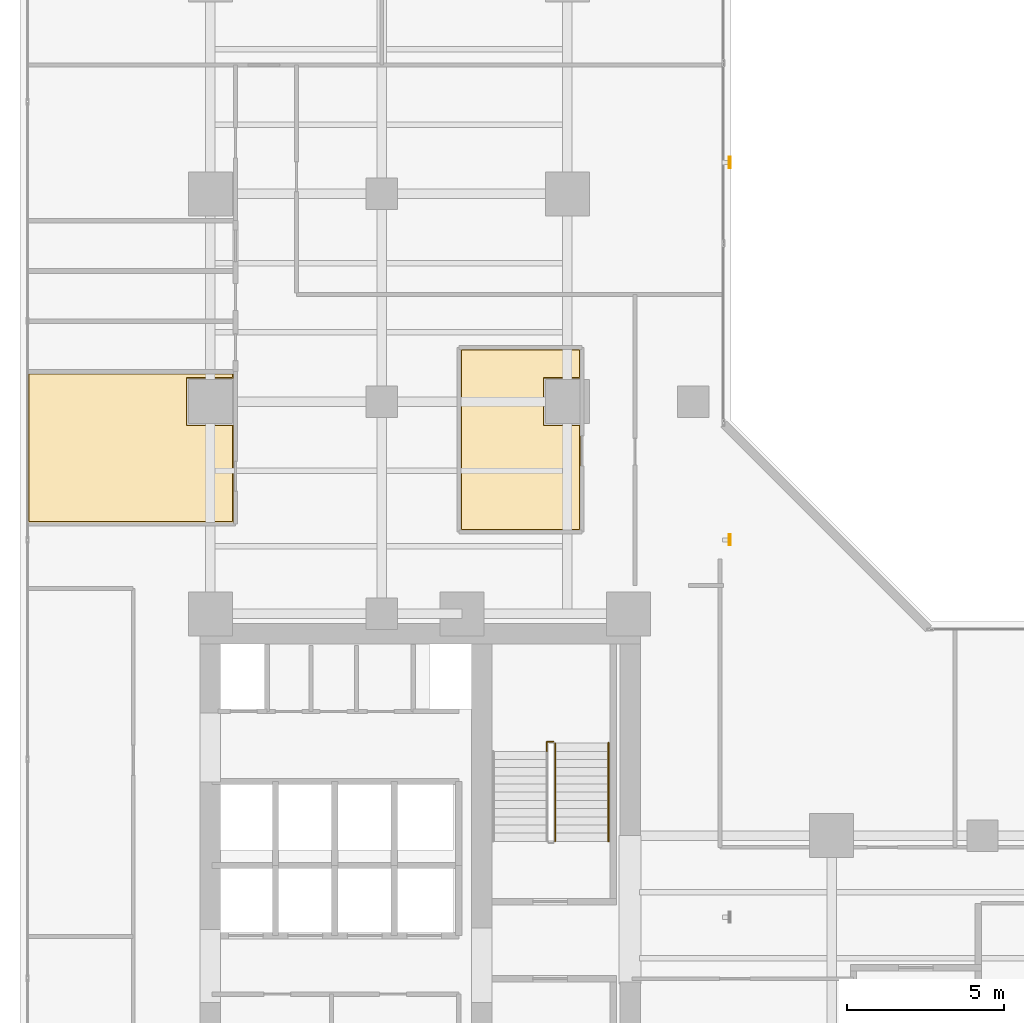
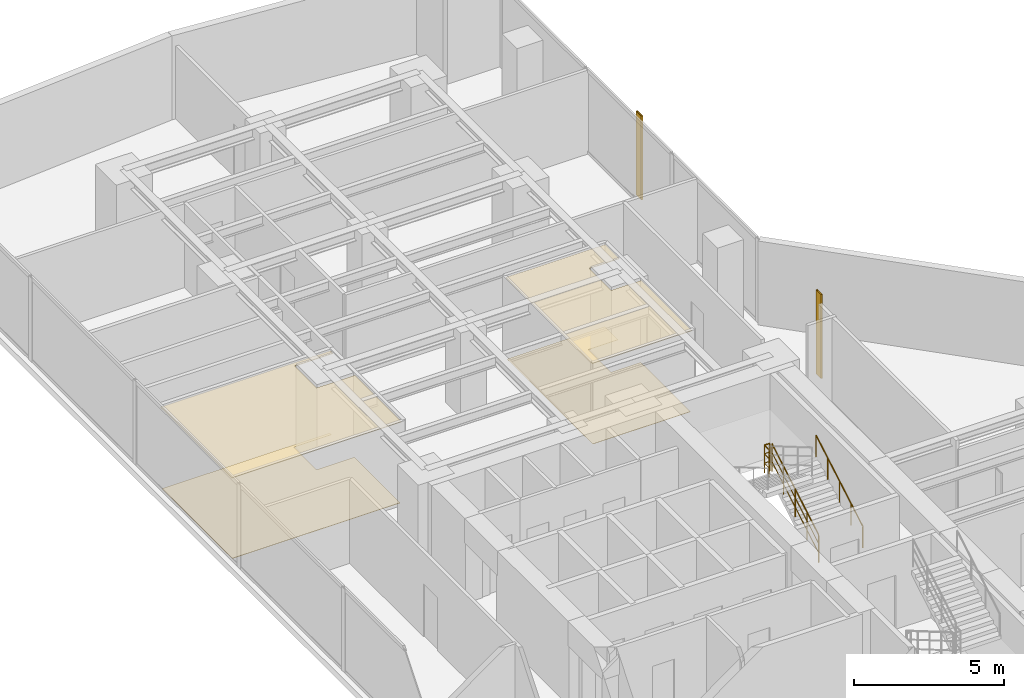
# One storey, part 25 of 25: 4 coverings, 3 railings, 2 shading devices.
"""IFC4 building model written with IfcOpenShell, lengths in metres."""

from ifc_helpers import new_model, si_unit, direction, frame, origin, origin_2d, place, context, subcontext, project, spatial, polyline, hollow_rectangle, circle, outline, extrude, material, layer, layer_set, material_profile, profile_set, type_object, element, save


model = new_model("IFC4")

# Units and contexts
model_context = context("Model", 3, precision=1e-05, world=origin(), true_north=direction((0.0, 1.0)))
body_context = subcontext(model_context, "Body", "Model", "MODEL_VIEW")
ifc_project = project(units=[si_unit("LENGTHUNIT", "METRE"), si_unit("AREAUNIT", "SQUARE_METRE"), si_unit("VOLUMEUNIT", "CUBIC_METRE"), si_unit("PLANEANGLEUNIT", "RADIAN"), si_unit("MASSUNIT", "GRAM", prefix="KILO")], contexts=[model_context])

# Site, building, storey
site_placement = place(None, origin())
site = spatial("IfcSite", under=ifc_project, at=site_placement, CompositionType="ELEMENT")
building_placement = place(site_placement, origin())
building = spatial("IfcBuilding", under=site, at=building_placement, Name="Kolvaren Waterfront Exchange", CompositionType="ELEMENT")
storey_placement = place(building_placement, frame((0.0, 0.0, 137.300048828125)))
storey = spatial("IfcBuildingStorey", under=building, at=storey_placement, Name="L35", CompositionType="ELEMENT", Elevation=137.300048828125)

# Coverings
ifc_material_1 = material(Name="Mineral fibre acoustic ceiling tile")
ifc_layer_1 = layer(ifc_material_1, 0.02490234375, Name="Mineral fibre acoustic ceiling tile")
ifc_layer_set_1 = layer_set([ifc_layer_1], Name="Mineral fibre acoustic ceiling tile")
covering_type_1 = type_object("IfcCoveringType", Name="ARC-CEIL-ACOUSTIC-25", PredefinedType="CEILING", material=ifc_layer_set_1)
covering_1_placement = place(storey_placement, frame((0.0, 0.0, 3.304931640625)))
element("IfcCovering", 1, at=covering_1_placement, inside=storey, type_object=covering_type_1, Name="L35 acoustic suspended ceiling 1", PredefinedType="CEILING", context=body_context, shape_type="SweptSolid", body=[
    extrude(outline(polyline([(19.22509765625, 30.4599609375), (18.06005859375, 30.4599609375), (18.06005859375, 31.93994140625), (19.22509765625, 31.93994140625), (19.22509765625, 32.875), (15.39501953125, 32.875), (15.39501953125, 27.094970703125), (19.22509765625, 27.094970703125), (19.22509765625, 30.4599609375)])), origin(), (0.0, 0.0, 1.0), 0.02490234375),
])
covering_2_placement = place(storey_placement, frame((0.0, 0.0, 3.304931640625)))
element("IfcCovering", 2, at=covering_2_placement, inside=storey, type_object=covering_type_1, Name="L35 acoustic suspended ceiling 2", PredefinedType="CEILING", context=body_context, shape_type="SweptSolid", body=[
    extrude(outline(polyline([(8.18505859375, 30.4599609375), (6.7099609375, 30.4599609375), (6.7099609375, 31.93994140625), (8.18505859375, 31.93994140625), (8.18505859375, 32.10498046875), (1.64501953125, 32.10498046875), (1.64501953125, 27.344970703125), (8.18505859375, 27.344970703125), (8.18505859375, 30.4599609375)])), origin(), (0.0, 0.0, 1.0), 0.02490234375),
])

# Shading devices
ifc_material_2 = material(Name="Anodised bronze aluminium 6063-T6", Category="aluminium")
ifc_material_profile = material_profile(ifc_material_2, hollow_rectangle(XDim=0.06005859375, YDim=0.35009765625, WallThickness=0.0048828125, at=origin_2d()), Name="BRZ-FIN-350x60x5")
ifc_profile_set = profile_set([ifc_material_profile], Name="Anodised bronze aluminium 6063-T6")
shading_device_type = type_object("IfcShadingDeviceType", Name="ARC-FIN-350", PredefinedType="USERDEFINED", material=ifc_profile_set)
for number, where, z_axis, x_axis, name in (
    (3, (23.9599609375, 26.800048828125, 0.0), (0.0, 0.0, 1.0), (1.0, 0.0, 0.0), "L35 anodised bronze solar shading fin FIN-L35-E2"),
    (4, (23.9599609375, 38.800048828125, 0.0), (0.0, 0.0, 1.0), (1.0, 0.0, 0.0), "L35 anodised bronze solar shading fin FIN-L35-E3"),
):
    element("IfcShadingDevice", number, at=place(storey_placement, frame(where, z_axis=z_axis, x_axis=x_axis)), inside=storey, type_object=shading_device_type, Name=name, ObjectType="SOLAR FIN", PredefinedType="USERDEFINED", context=body_context, shape_type="SweptSolid", body=[
        extrude(hollow_rectangle(XDim=0.06005859375, YDim=0.35009765625, WallThickness=0.0048828125, at=origin_2d()), origin(), (0.0, 0.0, 1.0), 3.419921875),
    ])

# Coverings
ifc_material_3 = material(Name="Slip-resistant porcelain tile")
ifc_layer_2 = layer(ifc_material_3, 0.014892578125, Name="Slip-resistant porcelain tile")
ifc_layer_set_2 = layer_set([ifc_layer_2], Name="Slip-resistant porcelain tile")
covering_type_2 = type_object("IfcCoveringType", Name="ARC-FLR-PORC-15", PredefinedType="FLOORING", material=ifc_layer_set_2)
covering_3_placement = place(storey_placement, origin())
element("IfcCovering", 5, at=covering_3_placement, inside=storey, type_object=covering_type_2, Name="L35 floor finish 1", PredefinedType="FLOORING", context=body_context, shape_type="SweptSolid", body=[
    extrude(outline(polyline([(15.429931640625, 32.840087890625), (15.429931640625, 27.1298828125), (19.18994140625, 27.1298828125), (19.18994140625, 30.43994140625), (18.0400390625, 30.43994140625), (18.0400390625, 31.9599609375), (19.18994140625, 31.9599609375), (19.18994140625, 32.840087890625), (15.429931640625, 32.840087890625)])), origin(), (0.0, 0.0, 1.0), 0.014892578125),
])
covering_4_placement = place(storey_placement, origin())
element("IfcCovering", 6, at=covering_4_placement, inside=storey, type_object=covering_type_2, Name="L35 floor finish 2", PredefinedType="FLOORING", context=body_context, shape_type="SweptSolid", body=[
    extrude(outline(polyline([(1.679931640625, 32.070068359375), (1.679931640625, 27.3798828125), (8.14990234375, 27.3798828125), (8.14990234375, 30.43994140625), (6.68994140625, 30.43994140625), (6.68994140625, 31.9599609375), (8.14990234375, 31.9599609375), (8.14990234375, 32.070068359375), (1.679931640625, 32.070068359375)])), origin(), (0.0, 0.0, 1.0), 0.014892578125),
])

# Railings
ifc_material_4 = material(Name="Stainless steel 316", Category="steel")
railing_type_1 = type_object("IfcRailingType", Name="ARC-GUARD-STAIR", PredefinedType="GUARDRAIL", material=ifc_material_4)
railing_1_placement = place(storey_placement, frame((18.409912109375, 17.219970703125, 0.15185546875)))
element("IfcRailing", 7, at=railing_1_placement, inside=storey, type_object=railing_type_1, Name="L35 ST2 stair guard 1", PredefinedType="GUARDRAIL", context=body_context, shape_type="SweptSolid", body=[
    extrude(circle(Radius=0.02392578125, at=origin_2d()), frame((0.0, 0.0, 1.1259765625), z_axis=(0.0, 0.86330811405, 0.504677223793), x_axis=(-1.0, 0.0, 0.0)), (0.0, 0.0, 1.0), 3.6142578125),
    extrude(circle(Radius=0.01611328125, at=origin_2d()), frame((0.0, 0.0, 0.390869140625), z_axis=(0.0, 0.86330811405, 0.504677223793), x_axis=(-1.0, 0.0, 0.0)), (0.0, 0.0, 1.0), 3.6142578125),
    extrude(circle(Radius=0.01611328125, at=origin_2d()), frame((0.0, 0.0, 0.7705078125), z_axis=(0.0, 0.86330811405, 0.504677223793), x_axis=(-1.0, 0.0, 0.0)), (0.0, 0.0, 1.0), 3.6142578125),
    extrude(circle(Radius=0.02099609375, at=origin_2d()), origin(), (0.0, 0.0, 1.0), 1.101806640625),
    extrude(circle(Radius=0.02099609375, at=origin_2d()), frame((0.0, 0.780029296875, 0.4560546875)), (0.0, 0.0, 1.0), 1.101806640625),
    extrude(circle(Radius=0.02099609375, at=origin_2d()), frame((0.0, 1.56005859375, 0.912109375)), (0.0, 0.0, 1.0), 1.101806640625),
    extrude(circle(Radius=0.02099609375, at=origin_2d()), frame((0.0, 2.340087890625, 1.367919921875)), (0.0, 0.0, 1.0), 1.101806640625),
    extrude(circle(Radius=0.02099609375, at=origin_2d()), frame((0.0, 3.1201171875, 1.823974609375)), (0.0, 0.0, 1.0), 1.101806640625),
])
railing_2_placement = place(storey_placement, frame((18.360107421875, 20.389892578125, 1.975830078125)))
element("IfcRailing", 8, at=railing_2_placement, inside=storey, type_object=railing_type_1, Name="L35 ST2 stair guard 2", PredefinedType="GUARDRAIL", context=body_context, shape_type="SweptSolid", body=[
    extrude(circle(Radius=0.02392578125, at=origin_2d()), frame((0.0, 0.0, 1.1259765625), z_axis=(-1.0, 0.0, 0.0), x_axis=(0.0, -1.0, 0.0)), (0.0, 0.0, 1.0), 0.210205078125),
    extrude(circle(Radius=0.01611328125, at=origin_2d()), frame((0.0, 0.0, 0.390869140625), z_axis=(-1.0, 0.0, 0.0), x_axis=(0.0, -1.0, 0.0)), (0.0, 0.0, 1.0), 0.210205078125),
    extrude(circle(Radius=0.01611328125, at=origin_2d()), frame((0.0, 0.0, 0.7705078125), z_axis=(-1.0, 0.0, 0.0), x_axis=(0.0, -1.0, 0.0)), (0.0, 0.0, 1.0), 0.210205078125),
    extrude(circle(Radius=0.02392578125, at=origin_2d()), frame((-0.210205078125, 0.0, 1.1259765625), z_axis=(0.0, -1.0, 0.0), x_axis=(1.0, 0.0, 0.0)), (0.0, 0.0, 1.0), 0.309814453125),
    extrude(circle(Radius=0.01611328125, at=origin_2d()), frame((-0.210205078125, 0.0, 0.390869140625), z_axis=(0.0, -1.0, 0.0), x_axis=(1.0, 0.0, 0.0)), (0.0, 0.0, 1.0), 0.309814453125),
    extrude(circle(Radius=0.01611328125, at=origin_2d()), frame((-0.210205078125, 0.0, 0.7705078125), z_axis=(0.0, -1.0, 0.0), x_axis=(1.0, 0.0, 0.0)), (0.0, 0.0, 1.0), 0.309814453125),
    extrude(circle(Radius=0.02099609375, at=origin_2d()), origin(), (0.0, 0.0, 1.0), 1.101806640625),
    extrude(circle(Radius=0.02099609375, at=origin_2d()), frame((-0.210205078125, 0.0, 0.0)), (0.0, 0.0, 1.0), 1.101806640625),
    extrude(circle(Radius=0.02099609375, at=origin_2d()), frame((-0.210205078125, -0.309814453125, 0.0)), (0.0, 0.0, 1.0), 1.101806640625),
])
railing_type_2 = type_object("IfcRailingType", Name="ARC-HANDRAIL-900", PredefinedType="HANDRAIL", material=ifc_material_4)
railing_3_placement = place(storey_placement, frame((20.110107421875, 17.219970703125, 0.15185546875)))
element("IfcRailing", 9, at=railing_3_placement, inside=storey, type_object=railing_type_2, Name="L35 ST2 stair handrail 1", PredefinedType="HANDRAIL", context=body_context, shape_type="SweptSolid", body=[
    extrude(circle(Radius=0.02392578125, at=origin_2d()), frame((0.0, 0.0, 0.8759765625), z_axis=(0.0, 0.86330811405, 0.504677223793), x_axis=(-1.0, 0.0, 0.0)), (0.0, 0.0, 1.0), 3.6142578125),
    extrude(circle(Radius=0.02099609375, at=origin_2d()), origin(), (0.0, 0.0, 1.0), 0.851806640625),
    extrude(circle(Radius=0.02099609375, at=origin_2d()), frame((0.0, 0.780029296875, 0.4560546875)), (0.0, 0.0, 1.0), 0.851806640625),
    extrude(circle(Radius=0.02099609375, at=origin_2d()), frame((0.0, 1.56005859375, 0.912109375)), (0.0, 0.0, 1.0), 0.851806640625),
    extrude(circle(Radius=0.02099609375, at=origin_2d()), frame((0.0, 2.340087890625, 1.367919921875)), (0.0, 0.0, 1.0), 0.851806640625),
    extrude(circle(Radius=0.02099609375, at=origin_2d()), frame((0.0, 3.1201171875, 1.823974609375)), (0.0, 0.0, 1.0), 0.851806640625),
])

save(model, "model.ifc")
